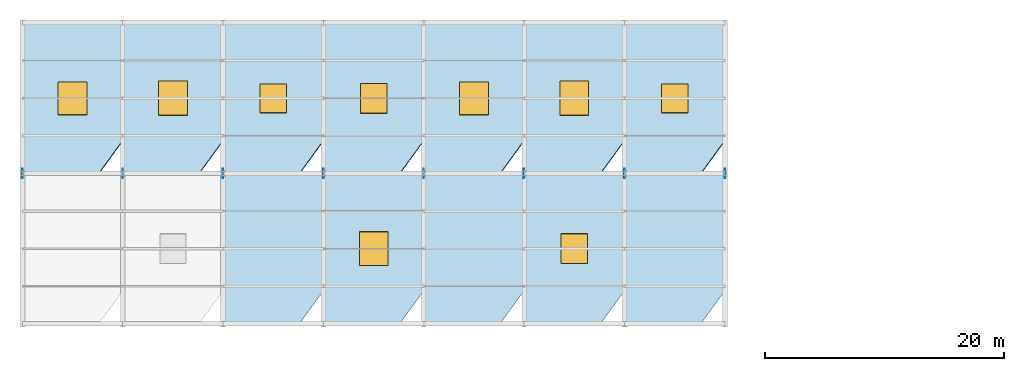
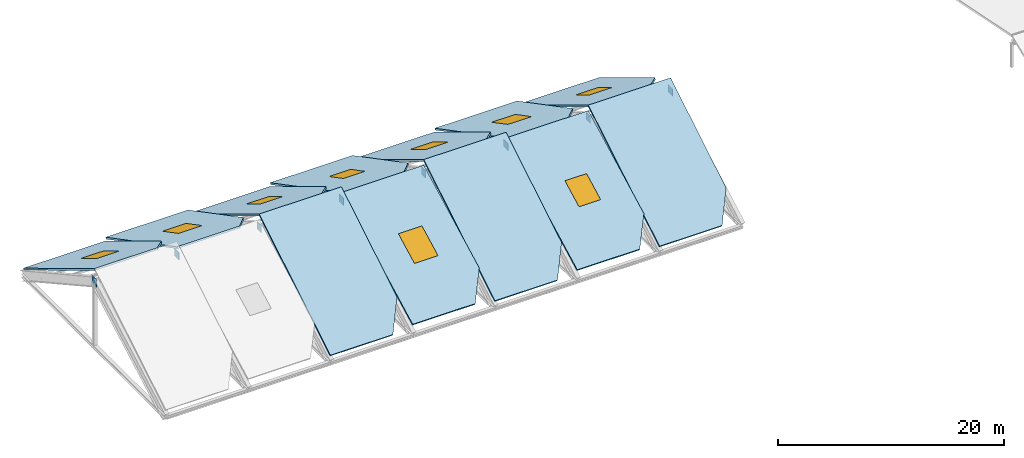
# One storey, part 5 of 13: 12 slabs, 9 windows, 8 plates, 9 openings.
"""IFC4 building model written with IfcOpenShell, lengths in metres."""

from ifc_helpers import new_model, si_unit, direction, frame, origin, origin_2d, place, context, subcontext, project, spatial, polyline, rectangle, outline, extrude, material, layer, layer_set, type_object, element, fill, save


model = new_model("IFC4")

# Units and contexts
model_context = context("Model", 3, precision=1e-05, world=origin(), true_north=direction((0.0, 1.0)))
body_context = subcontext(model_context, "Body", "Model", "MODEL_VIEW")
ifc_project = project(units=[si_unit("LENGTHUNIT", "METRE"), si_unit("AREAUNIT", "SQUARE_METRE"), si_unit("VOLUMEUNIT", "CUBIC_METRE"), si_unit("PLANEANGLEUNIT", "RADIAN"), si_unit("MASSUNIT", "GRAM", prefix="KILO")], contexts=[model_context])

# Site, building, storey
site_placement = place(None, origin())
site = spatial("IfcSite", under=ifc_project, at=site_placement, CompositionType="ELEMENT")
building_placement = place(site_placement, origin())
building = spatial("IfcBuilding", under=site, at=building_placement, Name="Calvrana Isthmian Art Gallery", CompositionType="ELEMENT")
storey_placement = place(building_placement, frame((0.0, 0.0, 29.39990234375)))
storey = spatial("IfcBuildingStorey", under=building, at=storey_placement, Name="RF", CompositionType="ELEMENT", Elevation=29.39990234375)

# Plates
ifc_material_1 = material(Name="Steel ASTM A572 Gr 50", Category="steel")
ifc_layer_1 = layer(ifc_material_1, 0.031982421875, Name="Steel ASTM A572 Gr 50")
ifc_layer_set_1 = layer_set([ifc_layer_1], Name="Steel ASTM A572 Gr 50")
plate_type = type_object("IfcPlateType", Name="PL-GUSSET-32", PredefinedType="USERDEFINED", material=ifc_layer_set_1)
for number, where, z_axis, x_axis, name in (
    (1, (21.60009765625, 34.199951171875, 5.8193359375), (0.0, 0.0, 1.0), (1.0, 0.0, 0.0), "Folded plate ridge knuckle gusset 04"),
    (2, (30.0, 34.199951171875, 5.8193359375), (0.0, 0.0, 1.0), (1.0, 0.0, 0.0), "Folded plate ridge knuckle gusset 05"),
    (3, (38.39990234375, 34.199951171875, 5.8193359375), (0.0, 0.0, 1.0), (1.0, 0.0, 0.0), "Folded plate ridge knuckle gusset 06"),
    (4, (46.800048828125, 34.199951171875, 5.8193359375), (0.0, 0.0, 1.0), (1.0, 0.0, 0.0), "Folded plate ridge knuckle gusset 07"),
    (5, (55.199951171875, 34.199951171875, 5.8193359375), (0.0, 0.0, 1.0), (1.0, 0.0, 0.0), "Folded plate ridge knuckle gusset 08"),
    (6, (63.60009765625, 34.199951171875, 5.8193359375), (0.0, 0.0, 1.0), (1.0, 0.0, 0.0), "Folded plate ridge knuckle gusset 09"),
    (7, (72.0, 34.199951171875, 5.8193359375), (0.0, 0.0, 1.0), (1.0, 0.0, 0.0), "Folded plate ridge knuckle gusset 10"),
    (8, (80.39990234375, 34.199951171875, 5.8193359375), (0.0, 0.0, 1.0), (1.0, 0.0, 0.0), "Folded plate ridge knuckle gusset 11"),
):
    element("IfcPlate", number, at=place(storey_placement, frame(where, z_axis=z_axis, x_axis=x_axis)), inside=storey, type_object=plate_type, Name=name, ObjectType="GUSSET PLATE", PredefinedType="USERDEFINED", context=body_context, shape_type="SweptSolid", body=[
        extrude(rectangle(XDim=0.031982421875, YDim=0.800048828125, at=origin_2d()), origin(), (0.0, 0.0, 1.0), 0.800048828125),
    ])

# Slab, opening, window
ifc_material_2 = material(Name="Concrete C40/50", Category="concrete")
ifc_layer_2 = layer(ifc_material_2, 0.179931640625, Name="Concrete C40/50")
ifc_layer_set_2 = layer_set([ifc_layer_2], Name="Concrete C40/50")
slab_type = type_object("IfcSlabType", Name="SLB-FPROOF-180", PredefinedType="ROOF", material=ifc_layer_set_2)
slab_1_placement = place(storey_placement, frame((21.60009765625, 34.199951171875, 7.60009765625), z_axis=(6.65443e-06, 0.516494320539, 0.85629061469), x_axis=(0.999999999978, -3.436975e-06, -5.698126e-06)))
slab_1 = element("IfcSlab", 9, at=slab_1_placement, inside=storey, type_object=slab_type, Name="Folded plate roof facet bay 1 N", PredefinedType="ROOF", context=body_context, shape_type="SweptSolid", body=[
    extrude(outline(polyline([(0.0, 0.0), (6.383789062358659, 0.0), (8.399902344307941, 3.237254209194031), (8.399902343653297, 14.714752642548685), (8.927638654249647e-11, 14.714752642548685), (0.0, 0.0)])), origin(), (0.0, 0.0, -1.0), 0.179931640625),
])
opening_1_placement = place(slab_1_placement, frame((4.199951171875, 7.357421875, 0.01025390625)))
opening_1 = element("IfcOpeningElement", 10, at=opening_1_placement, cuts=slab_1, Name="Opening SK-01", PredefinedType="OPENING", context=body_context, shape_type="SweptSolid", body=[
    extrude(rectangle(XDim=2.39990234375, YDim=3.199951171875, at=origin_2d()), origin(), (0.0, 0.0, -1.0), 0.200439453125),
])
ifc_material_3 = material(Name="Diffusing skylight glass", Category="glass")
window_type_1 = type_object("IfcWindowType", Name="SKY-FP-240X320", PartitioningType="SINGLE_PANEL", PredefinedType="SKYLIGHT", material=ifc_material_3)
window_1_placement = place(slab_1_placement, frame((4.199951171875, 7.357421875, 0.0)))
window_1 = element("IfcWindow", 11, at=window_1_placement, inside=storey, type_object=window_type_1, Name="Diffusing folded-plate skylight SK-01", OverallHeight=3.199951171875, OverallWidth=2.39990234375, PartitioningType="SINGLE_PANEL", PredefinedType="SKYLIGHT", context=body_context, shape_type="SweptSolid", body=[
    extrude(rectangle(XDim=2.39990234375, YDim=3.199951171875, at=origin_2d()), origin(), (0.0, 0.0, -1.0), 0.06005859375),
])
fill(opening_1, window_1)

slab_2_placement = place(storey_placement, frame((30.0, 34.199951171875, 7.0), z_axis=(-2.052652e-06, 0.463996349183, 0.885837111404), x_axis=(0.999999999998, 9.52423e-07, 1.818316e-06)))
slab_2 = element("IfcSlab", 12, at=slab_2_placement, inside=storey, type_object=slab_type, Name="Folded plate roof facet bay 2 N", PredefinedType="ROOF", context=body_context, shape_type="SweptSolid", body=[
    extrude(outline(polyline([(0.0, 0.0), (6.384033203111551, 0.0), (8.399902343803088, 3.1291945438231563), (8.399902343740797, 14.223942047643728), (8.493624938576624e-12, 14.223942047643728), (0.0, 0.0)])), origin(), (0.0, 0.0, -1.0), 0.179931640625),
])
opening_2_placement = place(slab_2_placement, frame((4.199951171875, 7.11181640625, 0.01025390625)))
opening_2 = element("IfcOpeningElement", 13, at=opening_2_placement, cuts=slab_2, Name="Opening SK-03", PredefinedType="OPENING", context=body_context, shape_type="SweptSolid", body=[
    extrude(rectangle(XDim=2.39990234375, YDim=3.199951171875, at=origin_2d()), origin(), (0.0, 0.0, -1.0), 0.200439453125),
])
window_2_placement = place(slab_2_placement, frame((4.199951171875, 7.11181640625, 0.0)))
window_2 = element("IfcWindow", 14, at=window_2_placement, inside=storey, type_object=window_type_1, Name="Diffusing folded-plate skylight SK-03", OverallHeight=3.199951171875, OverallWidth=2.39990234375, PartitioningType="SINGLE_PANEL", PredefinedType="SKYLIGHT", context=body_context, shape_type="SweptSolid", body=[
    extrude(rectangle(XDim=2.39990234375, YDim=3.199951171875, at=origin_2d()), origin(), (0.0, 0.0, -1.0), 0.06005859375),
])
fill(opening_2, window_2)

# Slab
slab_3_placement = place(storey_placement, frame((38.39990234375, 21.60009765625, 0.0), z_axis=(-4.95818e-06, -0.516501857575, 0.856286068494), x_axis=(0.999999999988, -2.560909e-06, 4.245621e-06)))
element("IfcSlab", 15, at=slab_3_placement, inside=storey, type_object=slab_type, Name="Folded plate roof facet bay 3 S", PredefinedType="ROOF", context=body_context, shape_type="SweptSolid", body=[
    extrude(outline(polyline([(0.0, 0.0), (6.384033203046529, 0.0), (8.400146484684758, 3.2372542100526283), (8.400146484321311, 14.714543587880817), (4.956322388637892e-11, 14.714543587880817), (0.0, 0.0)])), origin(), (0.0, 0.0, -1.0), 0.179931640625),
])

# Slab, opening, window
slab_4_placement = place(storey_placement, frame((38.39990234375, 34.199951171875, 7.60009765625), z_axis=(6.654231e-06, 0.516494320562, 0.856290614676), x_axis=(0.999999999978, -3.436873e-06, -5.697956e-06)))
slab_4 = element("IfcSlab", 16, at=slab_4_placement, inside=storey, type_object=slab_type, Name="Folded plate roof facet bay 3 N", PredefinedType="ROOF", context=body_context, shape_type="SweptSolid", body=[
    extrude(outline(polyline([(0.0, 0.0), (6.3840332029836615, 0.0), (8.400146484932923, 3.2372542091940337), (8.400146484278299, 14.714752642548685), (8.927105645553874e-11, 14.714752642548685), (0.0, 0.0)])), origin(), (0.0, 0.0, -1.0), 0.179931640625),
])
opening_3_placement = place(slab_4_placement, frame((4.2001953125, 7.357421875, 0.01025390625)))
opening_3 = element("IfcOpeningElement", 17, at=opening_3_placement, cuts=slab_4, Name="Opening SK-04", PredefinedType="OPENING", context=body_context, shape_type="SweptSolid", body=[
    extrude(rectangle(XDim=2.199951171875, YDim=2.800048828125, at=origin_2d()), origin(), (0.0, 0.0, -1.0), 0.200439453125),
])
window_type_2 = type_object("IfcWindowType", Name="SKY-FP-220X280", PartitioningType="SINGLE_PANEL", PredefinedType="SKYLIGHT", material=ifc_material_3)
window_3_placement = place(slab_4_placement, frame((4.2001953125, 7.357421875, 0.0)))
window_3 = element("IfcWindow", 18, at=window_3_placement, inside=storey, type_object=window_type_2, Name="Diffusing folded-plate skylight SK-04", OverallHeight=2.800048828125, OverallWidth=2.199951171875, PartitioningType="SINGLE_PANEL", PredefinedType="SKYLIGHT", context=body_context, shape_type="SweptSolid", body=[
    extrude(rectangle(XDim=2.199951171875, YDim=2.800048828125, at=origin_2d()), origin(), (0.0, 0.0, -1.0), 0.06005859375),
])
fill(opening_3, window_3)

slab_5_placement = place(storey_placement, frame((46.800048828125, 21.60009765625, 0.400146484375), z_axis=(3.576313e-06, -0.464003595424, 0.885833315822), x_axis=(0.999999999994, 1.659422e-06, -3.168017e-06)))
slab_5 = element("IfcSlab", 19, at=slab_5_placement, inside=storey, type_object=slab_type, Name="Folded plate roof facet bay 4 S", PredefinedType="ROOF", context=body_context, shape_type="SweptSolid", body=[
    extrude(outline(polyline([(0.0, 0.0), (6.384033203084174, -1.35187161485307e-21), (8.399902343911153, 3.1291945434363777), (8.399902343722067, 14.223725779234615), (2.57829957809653e-11, 14.223725779234615), (0.0, 0.0)])), origin(), (0.0, 0.0, -1.0), 0.179931640625),
])
opening_4_placement = place(slab_5_placement, frame((4.199951171875, 7.11181640625, 0.01025390625)))
opening_4 = element("IfcOpeningElement", 20, at=opening_4_placement, cuts=slab_5, Name="Opening SK-05", PredefinedType="OPENING", context=body_context, shape_type="SweptSolid", body=[
    extrude(rectangle(XDim=2.39990234375, YDim=3.199951171875, at=origin_2d()), origin(), (0.0, 0.0, -1.0), 0.200439453125),
])
window_4_placement = place(slab_5_placement, frame((4.199951171875, 7.11181640625, 0.0)))
window_4 = element("IfcWindow", 21, at=window_4_placement, inside=storey, type_object=window_type_1, Name="Diffusing folded-plate skylight SK-05", OverallHeight=3.199951171875, OverallWidth=2.39990234375, PartitioningType="SINGLE_PANEL", PredefinedType="SKYLIGHT", context=body_context, shape_type="SweptSolid", body=[
    extrude(rectangle(XDim=2.39990234375, YDim=3.199951171875, at=origin_2d()), origin(), (0.0, 0.0, -1.0), 0.06005859375),
])
fill(opening_4, window_4)

slab_6_placement = place(storey_placement, frame((46.800048828125, 34.199951171875, 7.0), z_axis=(-2.052652e-06, 0.463996349183, 0.885837111404), x_axis=(0.999999999998, 9.52423e-07, 1.818316e-06)))
slab_6 = element("IfcSlab", 22, at=slab_6_placement, inside=storey, type_object=slab_type, Name="Folded plate roof facet bay 4 N", PredefinedType="ROOF", context=body_context, shape_type="SweptSolid", body=[
    extrude(outline(polyline([(0.0, 0.0), (6.384033203111551, 0.0), (8.399902343803088, 3.1291945438231563), (8.399902343740797, 14.223942047643728), (8.493624938576624e-12, 14.223942047643728), (0.0, 0.0)])), origin(), (0.0, 0.0, -1.0), 0.179931640625),
])
opening_5_placement = place(slab_6_placement, frame((4.199951171875, 7.11181640625, 0.01025390625)))
opening_5 = element("IfcOpeningElement", 23, at=opening_5_placement, cuts=slab_6, Name="Opening SK-06", PredefinedType="OPENING", context=body_context, shape_type="SweptSolid", body=[
    extrude(rectangle(XDim=2.199951171875, YDim=2.800048828125, at=origin_2d()), origin(), (0.0, 0.0, -1.0), 0.200439453125),
])
window_5_placement = place(slab_6_placement, frame((4.199951171875, 7.11181640625, 0.0)))
window_5 = element("IfcWindow", 24, at=window_5_placement, inside=storey, type_object=window_type_2, Name="Diffusing folded-plate skylight SK-06", OverallHeight=2.800048828125, OverallWidth=2.199951171875, PartitioningType="SINGLE_PANEL", PredefinedType="SKYLIGHT", context=body_context, shape_type="SweptSolid", body=[
    extrude(rectangle(XDim=2.199951171875, YDim=2.800048828125, at=origin_2d()), origin(), (0.0, 0.0, -1.0), 0.06005859375),
])
fill(opening_5, window_5)

# Slab
slab_7_placement = place(storey_placement, frame((55.199951171875, 21.60009765625, 0.0), z_axis=(-4.95818e-06, -0.516501857575, 0.856286068494), x_axis=(0.999999999988, -2.560909e-06, 4.245621e-06)))
element("IfcSlab", 25, at=slab_7_placement, inside=storey, type_object=slab_type, Name="Folded plate roof facet bay 5 S", PredefinedType="ROOF", context=body_context, shape_type="SweptSolid", body=[
    extrude(outline(polyline([(0.0, 0.0), (6.384033203046529, 0.0), (8.400146484684758, 3.2372542100526283), (8.400146484321311, 14.714543587880817), (4.956322388637892e-11, 14.714543587880817), (0.0, 0.0)])), origin(), (0.0, 0.0, -1.0), 0.179931640625),
])

# Slab, opening, window
slab_8_placement = place(storey_placement, frame((55.199951171875, 34.199951171875, 7.60009765625), z_axis=(6.654231e-06, 0.516494320562, 0.856290614676), x_axis=(0.999999999978, -3.436873e-06, -5.697956e-06)))
slab_8 = element("IfcSlab", 26, at=slab_8_placement, inside=storey, type_object=slab_type, Name="Folded plate roof facet bay 5 N", PredefinedType="ROOF", context=body_context, shape_type="SweptSolid", body=[
    extrude(outline(polyline([(0.0, 0.0), (6.3840332029836615, 0.0), (8.400146484932923, 3.2372542091940337), (8.400146484278299, 14.714752642548685), (8.927105645553874e-11, 14.714752642548685), (0.0, 0.0)])), origin(), (0.0, 0.0, -1.0), 0.179931640625),
])
opening_6_placement = place(slab_8_placement, frame((4.199951171875, 7.357421875, 0.01025390625)))
opening_6 = element("IfcOpeningElement", 27, at=opening_6_placement, cuts=slab_8, Name="Opening SK-07", PredefinedType="OPENING", context=body_context, shape_type="SweptSolid", body=[
    extrude(rectangle(XDim=2.39990234375, YDim=3.199951171875, at=origin_2d()), origin(), (0.0, 0.0, -1.0), 0.200439453125),
])
window_6_placement = place(slab_8_placement, frame((4.199951171875, 7.357421875, 0.0)))
window_6 = element("IfcWindow", 28, at=window_6_placement, inside=storey, type_object=window_type_1, Name="Diffusing folded-plate skylight SK-07", OverallHeight=3.199951171875, OverallWidth=2.39990234375, PartitioningType="SINGLE_PANEL", PredefinedType="SKYLIGHT", context=body_context, shape_type="SweptSolid", body=[
    extrude(rectangle(XDim=2.39990234375, YDim=3.199951171875, at=origin_2d()), origin(), (0.0, 0.0, -1.0), 0.06005859375),
])
fill(opening_6, window_6)

slab_9_placement = place(storey_placement, frame((63.60009765625, 21.60009765625, 0.400146484375), z_axis=(3.576325e-06, -0.46400359548, 0.885833315793), x_axis=(0.999999999994, 1.659428e-06, -3.168028e-06)))
slab_9 = element("IfcSlab", 29, at=slab_9_placement, inside=storey, type_object=slab_type, Name="Folded plate roof facet bay 6 S", PredefinedType="ROOF", context=body_context, shape_type="SweptSolid", body=[
    extrude(outline(polyline([(0.0, 0.0), (6.383789062459176, -1.3518199160647855e-21), (8.399902343911155, 3.1291945434363737), (8.399902343722069, 14.223725779234615), (2.578628769319964e-11, 14.223725779234615), (0.0, 0.0)])), origin(), (0.0, 0.0, -1.0), 0.179931640625),
])
opening_7_placement = place(slab_9_placement, frame((4.199951171875, 7.11181640625, 0.01025390625)))
opening_7 = element("IfcOpeningElement", 30, at=opening_7_placement, cuts=slab_9, Name="Opening SK-08", PredefinedType="OPENING", context=body_context, shape_type="SweptSolid", body=[
    extrude(rectangle(XDim=2.199951171875, YDim=2.800048828125, at=origin_2d()), origin(), (0.0, 0.0, -1.0), 0.200439453125),
])
window_7_placement = place(slab_9_placement, frame((4.199951171875, 7.11181640625, 0.0)))
window_7 = element("IfcWindow", 31, at=window_7_placement, inside=storey, type_object=window_type_2, Name="Diffusing folded-plate skylight SK-08", OverallHeight=2.800048828125, OverallWidth=2.199951171875, PartitioningType="SINGLE_PANEL", PredefinedType="SKYLIGHT", context=body_context, shape_type="SweptSolid", body=[
    extrude(rectangle(XDim=2.199951171875, YDim=2.800048828125, at=origin_2d()), origin(), (0.0, 0.0, -1.0), 0.06005859375),
])
fill(opening_7, window_7)

slab_10_placement = place(storey_placement, frame((63.60009765625, 34.199951171875, 7.0), z_axis=(-2.052659e-06, 0.463996349215, 0.885837111387), x_axis=(0.999999999998, 9.52426e-07, 1.818321e-06)))
slab_10 = element("IfcSlab", 32, at=slab_10_placement, inside=storey, type_object=slab_type, Name="Folded plate roof facet bay 6 N", PredefinedType="ROOF", context=body_context, shape_type="SweptSolid", body=[
    extrude(outline(polyline([(0.0, 0.0), (6.383789062486551, -6.759099580323927e-22), (8.399902343803088, 3.129194543823155), (8.399902343740798, 14.223942047643728), (8.494709386388665e-12, 14.223942047643728), (0.0, 0.0)])), origin(), (0.0, 0.0, -1.0), 0.179931640625),
])
opening_8_placement = place(slab_10_placement, frame((4.199951171875, 7.11181640625, 0.01025390625)))
opening_8 = element("IfcOpeningElement", 33, at=opening_8_placement, cuts=slab_10, Name="Opening SK-09", PredefinedType="OPENING", context=body_context, shape_type="SweptSolid", body=[
    extrude(rectangle(XDim=2.39990234375, YDim=3.199951171875, at=origin_2d()), origin(), (0.0, 0.0, -1.0), 0.200439453125),
])
window_8_placement = place(slab_10_placement, frame((4.199951171875, 7.11181640625, 0.0)))
window_8 = element("IfcWindow", 34, at=window_8_placement, inside=storey, type_object=window_type_1, Name="Diffusing folded-plate skylight SK-09", OverallHeight=3.199951171875, OverallWidth=2.39990234375, PartitioningType="SINGLE_PANEL", PredefinedType="SKYLIGHT", context=body_context, shape_type="SweptSolid", body=[
    extrude(rectangle(XDim=2.39990234375, YDim=3.199951171875, at=origin_2d()), origin(), (0.0, 0.0, -1.0), 0.06005859375),
])
fill(opening_8, window_8)

# Slab
slab_11_placement = place(storey_placement, frame((72.0, 21.60009765625, 0.0), z_axis=(-4.958312e-06, -0.51650185763, 0.856286068461), x_axis=(0.999999999988, -2.560977e-06, 4.245733e-06)))
element("IfcSlab", 35, at=slab_11_placement, inside=storey, type_object=slab_type, Name="Folded plate roof facet bay 7 S", PredefinedType="ROOF", context=body_context, shape_type="SweptSolid", body=[
    extrude(outline(polyline([(0.0, 0.0), (6.384033203046525, 0.0), (8.399902344059766, 3.237254210052634), (8.399902343696306, 14.71454358788082), (4.955985544641186e-11, 14.71454358788082), (0.0, 0.0)])), origin(), (0.0, 0.0, -1.0), 0.179931640625),
])

# Slab, opening, window
slab_12_placement = place(storey_placement, frame((72.0, 34.199951171875, 7.60009765625), z_axis=(6.654408e-06, 0.516494320636, 0.856290614632), x_axis=(0.999999999978, -3.436964e-06, -5.698107e-06)))
slab_12 = element("IfcSlab", 36, at=slab_12_placement, inside=storey, type_object=slab_type, Name="Folded plate roof facet bay 7 N", PredefinedType="ROOF", context=body_context, shape_type="SweptSolid", body=[
    extrude(outline(polyline([(0.0, 0.0), (6.3840332029836535, 0.0), (8.399902344307936, 3.2372542091940426), (8.399902343653286, 14.714752642548685), (8.926498938215425e-11, 14.714752642548685), (0.0, 0.0)])), origin(), (0.0, 0.0, -1.0), 0.179931640625),
])
opening_9_placement = place(slab_12_placement, frame((4.199951171875, 7.357421875, 0.01025390625)))
opening_9 = element("IfcOpeningElement", 37, at=opening_9_placement, cuts=slab_12, Name="Opening SK-10", PredefinedType="OPENING", context=body_context, shape_type="SweptSolid", body=[
    extrude(rectangle(XDim=2.199951171875, YDim=2.800048828125, at=origin_2d()), origin(), (0.0, 0.0, -1.0), 0.200439453125),
])
window_9_placement = place(slab_12_placement, frame((4.199951171875, 7.357421875, 0.0)))
window_9 = element("IfcWindow", 38, at=window_9_placement, inside=storey, type_object=window_type_2, Name="Diffusing folded-plate skylight SK-10", OverallHeight=2.800048828125, OverallWidth=2.199951171875, PartitioningType="SINGLE_PANEL", PredefinedType="SKYLIGHT", context=body_context, shape_type="SweptSolid", body=[
    extrude(rectangle(XDim=2.199951171875, YDim=2.800048828125, at=origin_2d()), origin(), (0.0, 0.0, -1.0), 0.06005859375),
])
fill(opening_9, window_9)

save(model, "model.ifc")
